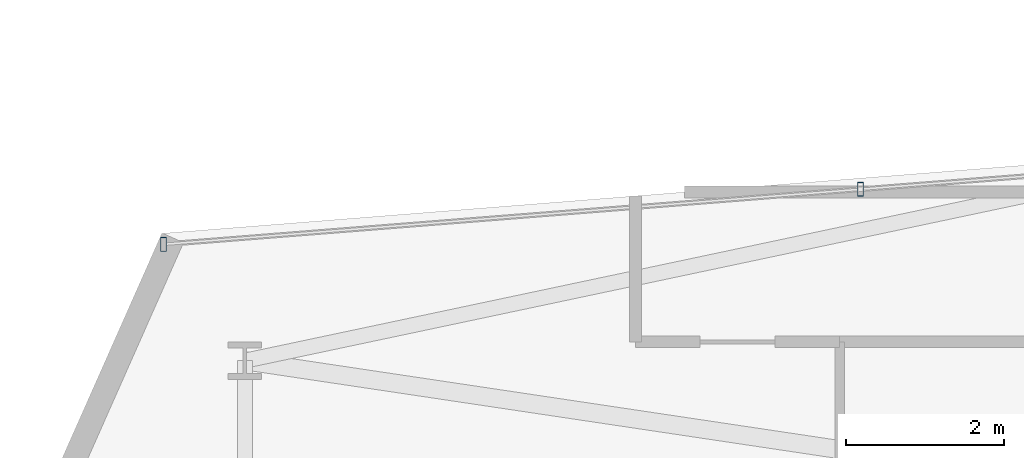
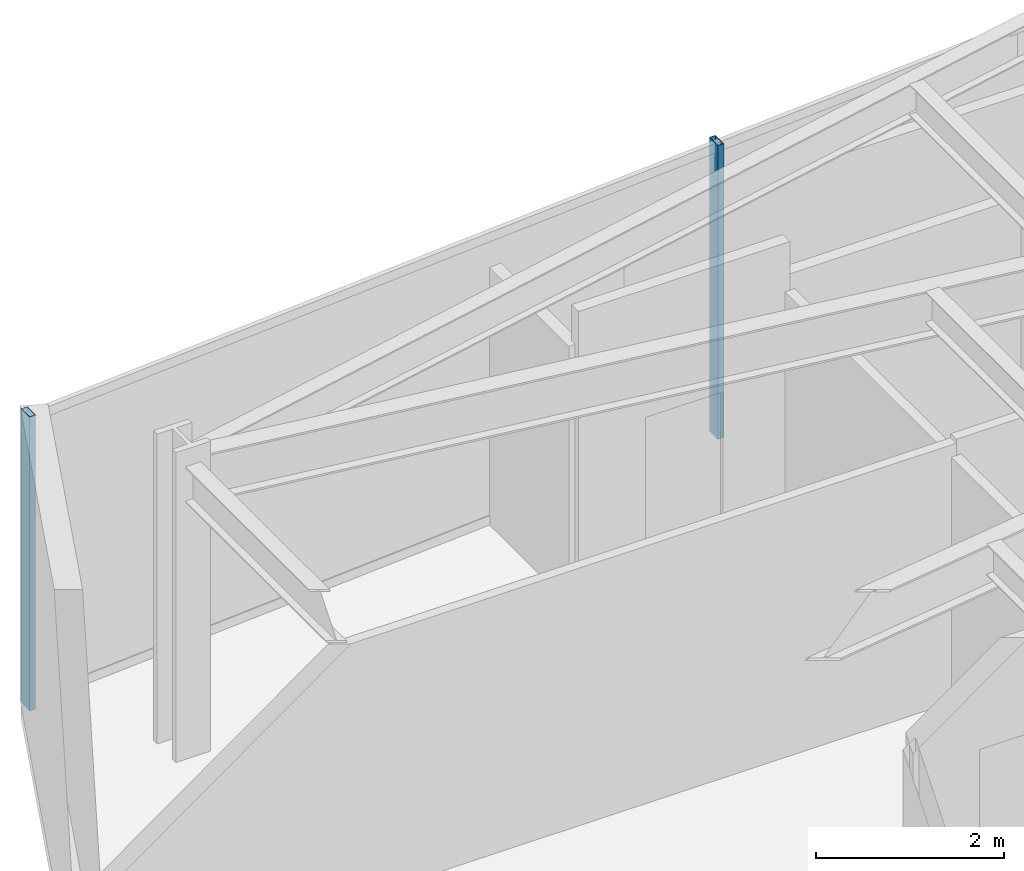
# One storey, part 7 of 24: 2 members, 1 element without a shape of its own.
"""IFC4 building model written with IfcOpenShell, lengths in metres."""

from ifc_helpers import new_model, si_unit, direction, frame, origin, origin_2d, place, context, subcontext, project, spatial, hollow_rectangle, extrude, material, layer, layer_set, material_profile, profile_set, type_object, element, aggregate, save


model = new_model("IFC4")

# Units and contexts
model_context = context("Model", 3, precision=1e-05, world=origin(), true_north=direction((0.0, 1.0)))
body_context = subcontext(model_context, "Body", "Model", "MODEL_VIEW")
ifc_project = project(units=[si_unit("LENGTHUNIT", "METRE"), si_unit("AREAUNIT", "SQUARE_METRE"), si_unit("VOLUMEUNIT", "CUBIC_METRE"), si_unit("PLANEANGLEUNIT", "RADIAN"), si_unit("MASSUNIT", "GRAM", prefix="KILO")], contexts=[model_context])

# Site, building, storey
site_placement = place(None, origin())
site = spatial("IfcSite", under=ifc_project, at=site_placement, CompositionType="ELEMENT")
building_placement = place(site_placement, origin())
building = spatial("IfcBuilding", under=site, at=building_placement, Name="Veymaron Broadcast Tower", CompositionType="ELEMENT")
storey_placement = place(building_placement, frame((0.0, 0.0, 78.300048828125)))
storey = spatial("IfcBuildingStorey", under=building, at=storey_placement, Name="L17", CompositionType="ELEMENT", Elevation=78.300048828125)

# Curtain wall, members
ifc_material_1 = material(Name="Anodised aluminium AA 6063-T6 and laminated low-E dark glass", Category="aluminium")
ifc_layer = layer(ifc_material_1, 0.179931640625)
ifc_layer_set = layer_set([ifc_layer], Name="Anodised aluminium AA 6063-T6 and laminated low-E dark glass")
curtain_wall_type = type_object("IfcCurtainWallType", Name="CW-SYS-02", PredefinedType="NOTDEFINED", material=ifc_layer_set)
curtain_wall_placement = place(storey_placement, origin())
curtain_wall = element("IfcCurtainWall", 1, at=curtain_wall_placement, inside=storey, type_object=curtain_wall_type, Name="L17 dark-glass curtain wall CW-L17-E11-1", PredefinedType="NOTDEFINED")
ifc_material_2 = material(Name="Anodised aluminium AA 6063-T6", Category="aluminium")
ifc_material_profile = material_profile(ifc_material_2, hollow_rectangle(XDim=0.074951171875, YDim=0.179931640625, WallThickness=0.0048828125, at=origin_2d()), Name="AL180X75X5")
ifc_profile_set = profile_set([ifc_material_profile], Name="Anodised aluminium AA 6063-T6")
member_type = type_object("IfcMemberType", Name="CW-MUL-02", PredefinedType="MULLION", material=ifc_profile_set)
member_1_placement = place(storey_placement, frame((16.85498046875, 29.486083984375, 0.0), z_axis=(0.0, 0.0, 1.0), x_axis=(1.0, 0.0, 0.0)))
member_1 = element("IfcMember", 2, at=member_1_placement, type_object=member_type, Name="CW-L17-E11-1 mullion 1", PredefinedType="MULLION", context=body_context, shape_type="SweptSolid", body=[
    extrude(hollow_rectangle(XDim=0.074951171875, YDim=0.179931640625, WallThickness=0.0048828125, at=origin_2d()), origin(), (0.0, 0.0, 1.0), 3.81005859375),
])
member_2_placement = place(storey_placement, frame((8.010986328125, 28.787353515625, 0.0), z_axis=(0.0, 0.0, 1.0), x_axis=(1.0, 0.0, 0.0)))
member_2 = element("IfcMember", 3, at=member_2_placement, type_object=member_type, Name="CW-L17-E11-1 mullion 2", PredefinedType="MULLION", context=body_context, shape_type="SweptSolid", body=[
    extrude(hollow_rectangle(XDim=0.074951171875, YDim=0.179931640625, WallThickness=0.0048828125, at=origin_2d()), origin(), (0.0, 0.0, 1.0), 3.81005859375),
])
aggregate(curtain_wall, [member_1, member_2])

save(model, "model.ifc")
